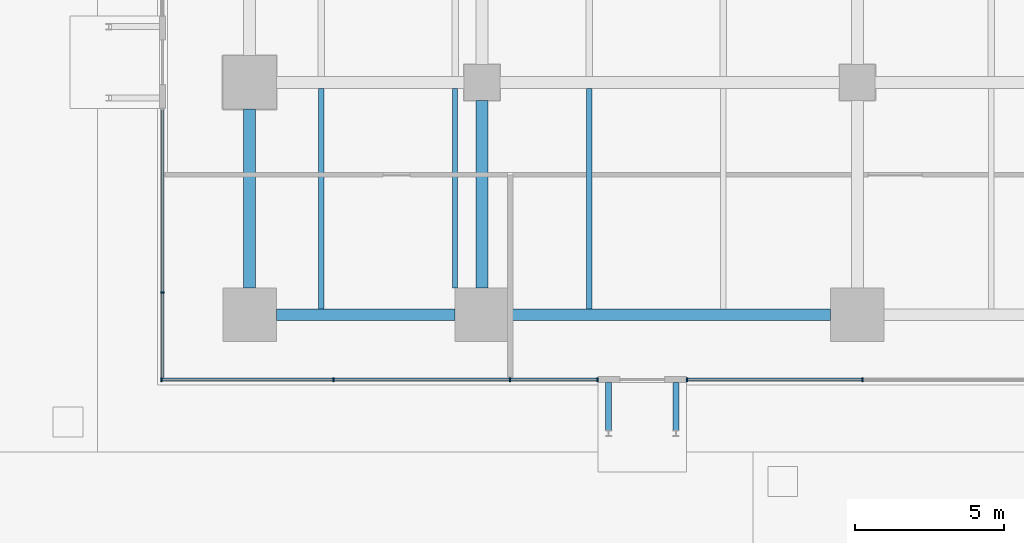
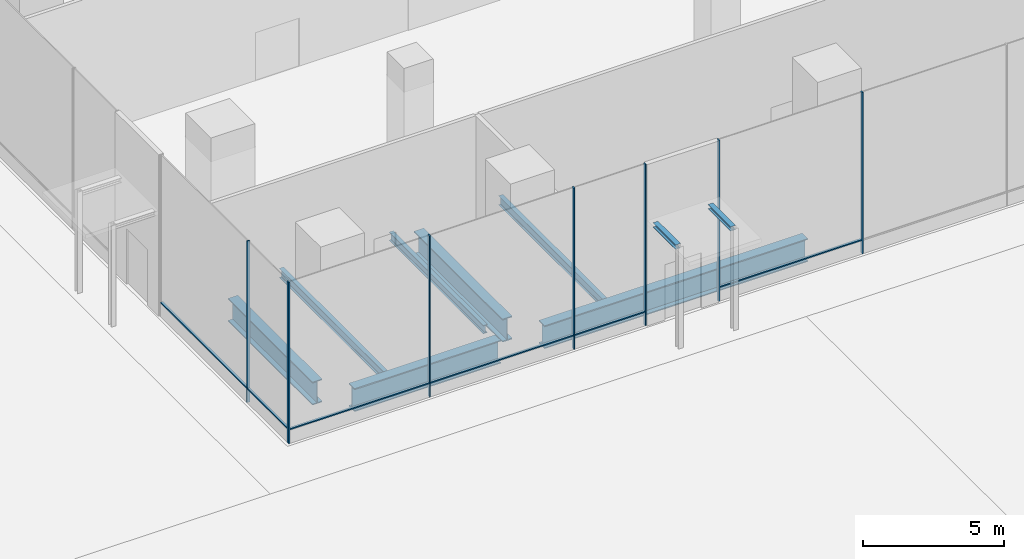
# One storey, part 11 of 41: 13 members, 9 beams, 3 elements without a shape of their own.
"""IFC4 building model written with IfcOpenShell, lengths in metres."""

from ifc_helpers import new_model, si_unit, direction, frame, origin, origin_2d, place, context, subcontext, project, spatial, rectangle, i_section, extrude, material, layer, layer_set, material_profile, profile_set, type_object, element, aggregate, save


model = new_model("IFC4")

# Units and contexts
model_context = context("Model", 3, precision=1e-05, world=origin(), true_north=direction((0.0, 1.0)))
body_context = subcontext(model_context, "Body", "Model", "MODEL_VIEW")
ifc_project = project(units=[si_unit("LENGTHUNIT", "METRE"), si_unit("AREAUNIT", "SQUARE_METRE"), si_unit("VOLUMEUNIT", "CUBIC_METRE"), si_unit("PLANEANGLEUNIT", "RADIAN"), si_unit("MASSUNIT", "GRAM", prefix="KILO")], contexts=[model_context])

# Site, building, storey
site_placement = place(None, origin())
site = spatial("IfcSite", under=ifc_project, at=site_placement, CompositionType="ELEMENT")
building_placement = place(site_placement, origin())
building = spatial("IfcBuilding", under=site, at=building_placement, Name="Rattan Terrace Tower", CompositionType="ELEMENT")
storey_placement = place(building_placement, origin())
storey = spatial("IfcBuildingStorey", under=building, at=storey_placement, Name="L00", CompositionType="ELEMENT", Elevation=0.0)

# Beams
ifc_material_1 = material(Name="Structural steel S355", Category="steel")
ifc_material_profile_1 = material_profile(ifc_material_1, i_section(OverallWidth=0.199951171875, OverallDepth=0.199951171875, WebThickness=0.009033203125, FlangeThickness=0.014892578125, FilletRadius=0.01806640625, at=origin_2d()), Name="HE 200 B")
ifc_profile_set_1 = profile_set([ifc_material_profile_1], Name="Structural steel S355")
beam_type_1 = type_object("IfcBeamType", Name="Canopy beam HE 200 B", PredefinedType="BEAM", material=ifc_profile_set_1)
for number, where, z_axis, x_axis, name in (
    (1, (-21.85009765625, -37.179931640625, 4.300048828125), (0.0, -1.0, 0.0), (1.0, 0.0, 0.0), "Canopy beam 046a"),
    (2, (-19.590087890625, -37.179931640625, 4.300048828125), (0.0, -1.0, 0.0), (1.0, 0.0, 0.0), "Canopy beam 046b"),
):
    element("IfcBeam", number, at=place(storey_placement, frame(where, z_axis=z_axis, x_axis=x_axis)), inside=storey, type_object=beam_type_1, Name=name, PredefinedType="BEAM", context=body_context, shape_type="SweptSolid", body=[
        extrude(i_section(OverallWidth=0.199951171875, OverallDepth=0.199951171875, WebThickness=0.009033203125, FlangeThickness=0.014892578125, FilletRadius=0.01806640625, at=origin_2d()), origin(), (0.0, 0.0, 1.0), 1.60009765625),
    ])
ifc_material_2 = material(Name="Steel S355", Category="steel")
ifc_material_profile_2 = material_profile(ifc_material_2, i_section(OverallWidth=0.169921875, OverallDepth=0.360107421875, WebThickness=0.008056640625, FlangeThickness=0.0126953125, FilletRadius=0.01806640625, at=origin_2d()), Name="IPE 360")
ifc_profile_set_2 = profile_set([ifc_material_profile_2], Name="Steel S355")
beam_type_2 = type_object("IfcBeamType", Name="Frame floor beam IPE 360", PredefinedType="JOIST", material=ifc_profile_set_2)
beam_1_placement = place(storey_placement, frame((-27.0, -34.0, -0.3798828125), z_axis=(0.0, 1.0, 0.0), x_axis=(-1.0, 0.0, 0.0)))
element("IfcBeam", 3, at=beam_1_placement, inside=storey, type_object=beam_type_2, Name="bm-L00-013", PredefinedType="JOIST", context=body_context, shape_type="SweptSolid", body=[
    extrude(i_section(OverallWidth=0.169921875, OverallDepth=0.360107421875, WebThickness=0.008056640625, FlangeThickness=0.0126953125, FilletRadius=0.01806640625, at=origin_2d()), origin(), (0.0, 0.0, 1.0), 6.699951171875),
])
ifc_material_3 = material(Name="Steel S355", Category="steel")
ifc_material_profile_3 = material_profile(ifc_material_3, i_section(OverallWidth=0.179931640625, OverallDepth=0.39990234375, WebThickness=0.008544921875, FlangeThickness=0.013427734375, FilletRadius=0.02099609375, at=origin_2d()), Name="IPE 400")
ifc_profile_set_3 = profile_set([ifc_material_profile_3], Name="Steel S355")
beam_type_3 = type_object("IfcBeamType", Name="Frame floor beam IPE 400", PredefinedType="JOIST", material=ifc_profile_set_3)
for number, where, z_axis, x_axis, name in (
    (4, (-31.5, -34.699951171875, -0.39990234375), (0.0, 1.0, 0.0), (-1.0, 0.0, 0.0), "bm-L00-003"),
    (5, (-22.5, -34.699951171875, -0.39990234375), (0.0, 1.0, 0.0), (-1.0, 0.0, 0.0), "bm-L00-004"),
):
    element("IfcBeam", number, at=place(storey_placement, frame(where, z_axis=z_axis, x_axis=x_axis)), inside=storey, type_object=beam_type_3, Name=name, PredefinedType="JOIST", context=body_context, shape_type="SweptSolid", body=[
        extrude(i_section(OverallWidth=0.179931640625, OverallDepth=0.39990234375, WebThickness=0.008544921875, FlangeThickness=0.013427734375, FilletRadius=0.02099609375, at=origin_2d()), origin(), (0.0, 0.0, 1.0), 7.39990234375),
    ])
ifc_material_4 = material(Name="Steel S460", Category="steel")
ifc_material_profile_4 = material_profile(ifc_material_4, i_section(OverallWidth=0.39990234375, OverallDepth=1.0, WebThickness=0.01806640625, FlangeThickness=0.044921875, at=origin_2d()), Name="PG 1000x400-18-45")
ifc_profile_set_4 = profile_set([ifc_material_profile_4], Name="Steel S460")
beam_type_4 = type_object("IfcBeamType", Name="Frame podium girder PG 1000x400-18-45", PredefinedType="USERDEFINED", material=ifc_profile_set_4)
beam_2_placement = place(storey_placement, frame((-33.0, -34.89990234375, -0.699951171875), z_axis=(1.0, 0.0, 0.0), x_axis=(0.0, 1.0, 0.0)))
element("IfcBeam", 6, at=beam_2_placement, inside=storey, type_object=beam_type_4, Name="gdr-L00-001", ObjectType="PODIUM GIRDER", PredefinedType="USERDEFINED", context=body_context, shape_type="SweptSolid", body=[
    extrude(i_section(OverallWidth=0.39990234375, OverallDepth=1.0, WebThickness=0.01806640625, FlangeThickness=0.044921875, at=origin_2d()), origin(), (0.0, 0.0, 1.0), 6.0),
])
beam_3_placement = place(storey_placement, frame((-25.199951171875, -34.89990234375, -0.699951171875), z_axis=(1.0, 0.0, 0.0), x_axis=(0.0, 1.0, 0.0)))
element("IfcBeam", 7, at=beam_3_placement, inside=storey, type_object=beam_type_4, Name="gdr-L00-002", ObjectType="PODIUM GIRDER", PredefinedType="USERDEFINED", context=body_context, shape_type="SweptSolid", body=[
    extrude(i_section(OverallWidth=0.39990234375, OverallDepth=1.0, WebThickness=0.01806640625, FlangeThickness=0.044921875, at=origin_2d()), origin(), (0.0, 0.0, 1.0), 10.800048828125),
])
beam_4_placement = place(storey_placement, frame((-33.89990234375, -34.0, -0.699951171875), z_axis=(0.0, 1.0, 0.0), x_axis=(-1.0, 0.0, 0.0)))
element("IfcBeam", 8, at=beam_4_placement, inside=storey, type_object=beam_type_4, Name="gdr-L00-007", ObjectType="PODIUM GIRDER", PredefinedType="USERDEFINED", context=body_context, shape_type="SweptSolid", body=[
    extrude(i_section(OverallWidth=0.39990234375, OverallDepth=1.0, WebThickness=0.01806640625, FlangeThickness=0.044921875, at=origin_2d()), origin(), (0.0, 0.0, 1.0), 6.0),
])
beam_5_placement = place(storey_placement, frame((-26.10009765625, -34.0, -0.699951171875), z_axis=(0.0, 1.0, 0.0), x_axis=(-1.0, 0.0, 0.0)))
element("IfcBeam", 9, at=beam_5_placement, inside=storey, type_object=beam_type_4, Name="gdr-L00-008", ObjectType="PODIUM GIRDER", PredefinedType="USERDEFINED", context=body_context, shape_type="SweptSolid", body=[
    extrude(i_section(OverallWidth=0.39990234375, OverallDepth=1.0, WebThickness=0.01806640625, FlangeThickness=0.044921875, at=origin_2d()), origin(), (0.0, 0.0, 1.0), 6.300048828125),
])

# Curtain wall, member
ifc_material_5 = material(Name="Aluminium and glass", Category="aluminium")
ifc_layer = layer(ifc_material_5, 0.1201171875)
ifc_layer_set = layer_set([ifc_layer], Name="Station Storefront Curtain Wall")
curtain_wall_type = type_object("IfcCurtainWallType", Name="Station Storefront Curtain Wall", PredefinedType="NOTDEFINED", material=ifc_layer_set)
curtain_wall_1_placement = place(storey_placement, origin())
curtain_wall_1 = element("IfcCurtainWall", 10, at=curtain_wall_1_placement, inside=storey, type_object=curtain_wall_type, Name="Storefront curtain wall L00-9", PredefinedType="NOTDEFINED")
ifc_material_6 = material(Name="Aluminium", Category="aluminium")
ifc_material_profile_5 = material_profile(ifc_material_6, rectangle(XDim=0.050048828125, YDim=0.1201171875, at=origin_2d()), Name="Aluminium 50x120")
ifc_profile_set_5 = profile_set([ifc_material_profile_5], Name="Aluminium")
member_type_1 = type_object("IfcMemberType", Name="Storefront CW Mullion 50x120", PredefinedType="MULLION", material=ifc_profile_set_5)
member_1_placement = place(storey_placement, frame((-36.830078125, -34.159912109375, 0.0), z_axis=(0.0, 0.0, 1.0), x_axis=(0.0, -1.0, 0.0)))
member_1 = element("IfcMember", 11, at=member_1_placement, type_object=member_type_1, Name="Mullion cwl-L00-009.2", PredefinedType="MULLION", context=body_context, shape_type="SweptSolid", body=[
    extrude(rectangle(XDim=0.050048828125, YDim=0.1201171875, at=origin_2d()), origin(), (0.0, 0.0, 1.0), 7.0),
])

# Curtain wall, members
curtain_wall_2_placement = place(storey_placement, origin())
curtain_wall_2 = element("IfcCurtainWall", 12, at=curtain_wall_2_placement, inside=storey, type_object=curtain_wall_type, Name="Storefront curtain wall L00-10", PredefinedType="NOTDEFINED")
member_2_placement = place(storey_placement, frame((-36.864990234375, -37.080078125, 0.0), z_axis=(0.0, 0.0, 1.0), x_axis=(1.0, 0.0, 0.0)))
member_2 = element("IfcMember", 13, at=member_2_placement, type_object=member_type_1, Name="Mullion cwl-L00-010.1", PredefinedType="MULLION", context=body_context, shape_type="SweptSolid", body=[
    extrude(rectangle(XDim=0.050048828125, YDim=0.1201171875, at=origin_2d()), origin(), (0.0, 0.0, 1.0), 7.0),
])
member_3_placement = place(storey_placement, frame((-31.080078125, -37.080078125, 0.0), z_axis=(0.0, 0.0, 1.0), x_axis=(1.0, 0.0, 0.0)))
member_3 = element("IfcMember", 14, at=member_3_placement, type_object=member_type_1, Name="Mullion cwl-L00-010.2", PredefinedType="MULLION", context=body_context, shape_type="SweptSolid", body=[
    extrude(rectangle(XDim=0.050048828125, YDim=0.1201171875, at=origin_2d()), origin(), (0.0, 0.0, 1.0), 7.0),
])
member_4_placement = place(storey_placement, frame((-25.159912109375, -37.080078125, 0.0), z_axis=(0.0, 0.0, 1.0), x_axis=(1.0, 0.0, 0.0)))
member_4 = element("IfcMember", 15, at=member_4_placement, type_object=member_type_1, Name="Mullion cwl-L00-010.3", PredefinedType="MULLION", context=body_context, shape_type="SweptSolid", body=[
    extrude(rectangle(XDim=0.050048828125, YDim=0.1201171875, at=origin_2d()), origin(), (0.0, 0.0, 1.0), 7.0),
])
member_5_placement = place(storey_placement, frame((-22.22509765625, -37.080078125, 0.0), z_axis=(0.0, 0.0, 1.0), x_axis=(1.0, 0.0, 0.0)))
member_5 = element("IfcMember", 16, at=member_5_placement, type_object=member_type_1, Name="Mullion cwl-L00-010.4", PredefinedType="MULLION", context=body_context, shape_type="SweptSolid", body=[
    extrude(rectangle(XDim=0.050048828125, YDim=0.1201171875, at=origin_2d()), origin(), (0.0, 0.0, 1.0), 7.0),
])

curtain_wall_3_placement = place(storey_placement, origin())
curtain_wall_3 = element("IfcCurtainWall", 17, at=curtain_wall_3_placement, inside=storey, type_object=curtain_wall_type, Name="Storefront curtain wall L00-11", PredefinedType="NOTDEFINED")
member_6_placement = place(storey_placement, frame((-19.215087890625, -37.080078125, 0.0), z_axis=(0.0, 0.0, 1.0), x_axis=(1.0, 0.0, 0.0)))
member_6 = element("IfcMember", 18, at=member_6_placement, type_object=member_type_1, Name="Mullion cwl-L00-011.1", PredefinedType="MULLION", context=body_context, shape_type="SweptSolid", body=[
    extrude(rectangle(XDim=0.050048828125, YDim=0.1201171875, at=origin_2d()), origin(), (0.0, 0.0, 1.0), 7.0),
])
member_7_placement = place(storey_placement, frame((-13.320068359375, -37.080078125, 0.0), z_axis=(0.0, 0.0, 1.0), x_axis=(1.0, 0.0, 0.0)))
member_7 = element("IfcMember", 19, at=member_7_placement, type_object=member_type_1, Name="Mullion cwl-L00-011.2", PredefinedType="MULLION", context=body_context, shape_type="SweptSolid", body=[
    extrude(rectangle(XDim=0.050048828125, YDim=0.1201171875, at=origin_2d()), origin(), (0.0, 0.0, 1.0), 7.0),
])

# Member
ifc_material_7 = material(Name="Aluminium", Category="aluminium")
ifc_material_profile_6 = material_profile(ifc_material_7, rectangle(XDim=0.10009765625, YDim=0.050048828125, at=origin_2d()), Name="Aluminium 100x50")
ifc_profile_set_6 = profile_set([ifc_material_profile_6], Name="Aluminium")
member_type_2 = type_object("IfcMemberType", Name="Storefront CW Transom 100x50", PredefinedType="USERDEFINED", material=ifc_profile_set_6)
member_8_placement = place(storey_placement, frame((-36.830078125, -28.02197265625, 0.60009765625), z_axis=(0.0, -1.0, 0.0), x_axis=(1.0, 0.0, 0.0)))
member_8 = element("IfcMember", 20, at=member_8_placement, type_object=member_type_2, Name="Transom cwl-L00-009.1", ObjectType="TRANSOM", PredefinedType="USERDEFINED", context=body_context, shape_type="SweptSolid", body=[
    extrude(rectangle(XDim=0.10009765625, YDim=0.050048828125, at=origin_2d()), origin(), (0.0, 0.0, 1.0), 6.113037109375),
])

member_9_placement = place(storey_placement, frame((-36.830078125, -34.18505859375, 0.60009765625), z_axis=(0.0, -1.0, 0.0), x_axis=(1.0, 0.0, 0.0)))
member_9 = element("IfcMember", 21, at=member_9_placement, type_object=member_type_2, Name="Transom cwl-L00-009.2", ObjectType="TRANSOM", PredefinedType="USERDEFINED", context=body_context, shape_type="SweptSolid", body=[
    extrude(rectangle(XDim=0.10009765625, YDim=0.050048828125, at=origin_2d()), origin(), (0.0, 0.0, 1.0), 2.8349609375),
])

aggregate(curtain_wall_1, [member_1, member_8, member_9])

member_10_placement = place(storey_placement, frame((-36.840087890625, -37.080078125, 0.60009765625), z_axis=(1.0, 0.0, 0.0), x_axis=(0.0, 1.0, 0.0)))
member_10 = element("IfcMember", 22, at=member_10_placement, type_object=member_type_2, Name="Transom cwl-L00-010.1", ObjectType="TRANSOM", PredefinedType="USERDEFINED", context=body_context, shape_type="SweptSolid", body=[
    extrude(rectangle(XDim=0.10009765625, YDim=0.050048828125, at=origin_2d()), origin(), (0.0, 0.0, 1.0), 5.735107421875),
])

member_11_placement = place(storey_placement, frame((-31.054931640625, -37.080078125, 0.60009765625), z_axis=(1.0, 0.0, 0.0), x_axis=(0.0, 1.0, 0.0)))
member_11 = element("IfcMember", 23, at=member_11_placement, type_object=member_type_2, Name="Transom cwl-L00-010.2", ObjectType="TRANSOM", PredefinedType="USERDEFINED", context=body_context, shape_type="SweptSolid", body=[
    extrude(rectangle(XDim=0.10009765625, YDim=0.050048828125, at=origin_2d()), origin(), (0.0, 0.0, 1.0), 5.869873046875),
])

member_12_placement = place(storey_placement, frame((-25.135009765625, -37.080078125, 0.60009765625), z_axis=(1.0, 0.0, 0.0), x_axis=(0.0, 1.0, 0.0)))
member_12 = element("IfcMember", 24, at=member_12_placement, type_object=member_type_2, Name="Transom cwl-L00-010.3", ObjectType="TRANSOM", PredefinedType="USERDEFINED", context=body_context, shape_type="SweptSolid", body=[
    extrude(rectangle(XDim=0.10009765625, YDim=0.050048828125, at=origin_2d()), origin(), (0.0, 0.0, 1.0), 2.885009765625),
])

aggregate(curtain_wall_2, [member_2, member_3, member_4, member_5, member_10, member_11, member_12])

member_13_placement = place(storey_placement, frame((-19.18994140625, -37.080078125, 0.60009765625), z_axis=(1.0, 0.0, 0.0), x_axis=(0.0, 1.0, 0.0)))
member_13 = element("IfcMember", 25, at=member_13_placement, type_object=member_type_2, Name="Transom cwl-L00-011.1", ObjectType="TRANSOM", PredefinedType="USERDEFINED", context=body_context, shape_type="SweptSolid", body=[
    extrude(rectangle(XDim=0.10009765625, YDim=0.050048828125, at=origin_2d()), origin(), (0.0, 0.0, 1.0), 5.844970703125),
])

aggregate(curtain_wall_3, [member_6, member_7, member_13])

save(model, "model.ifc")
